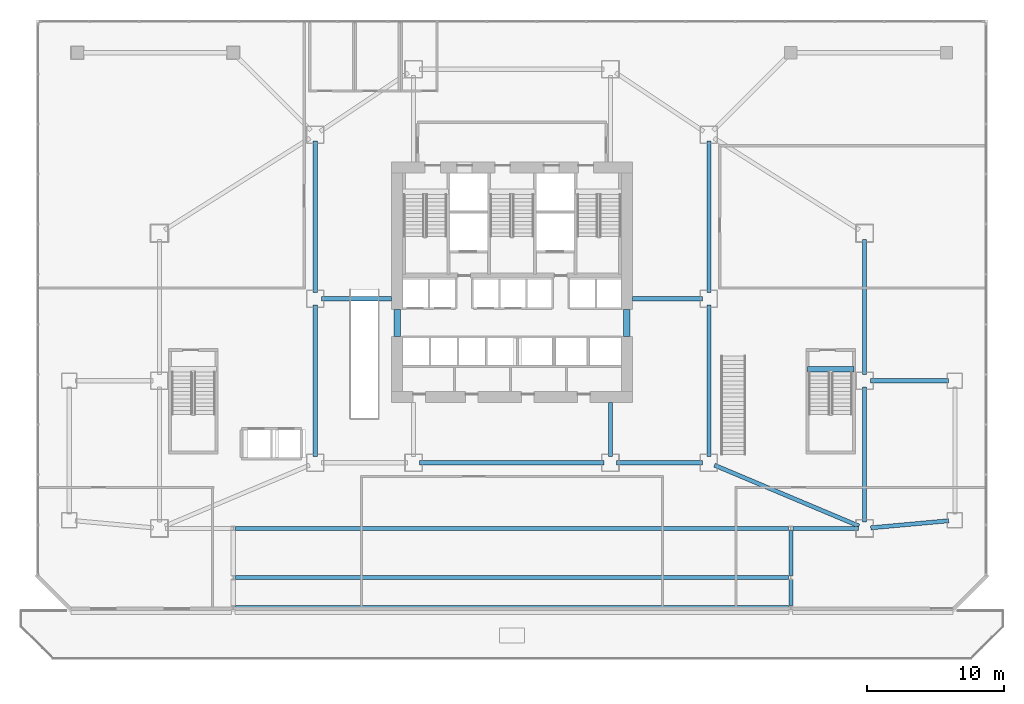
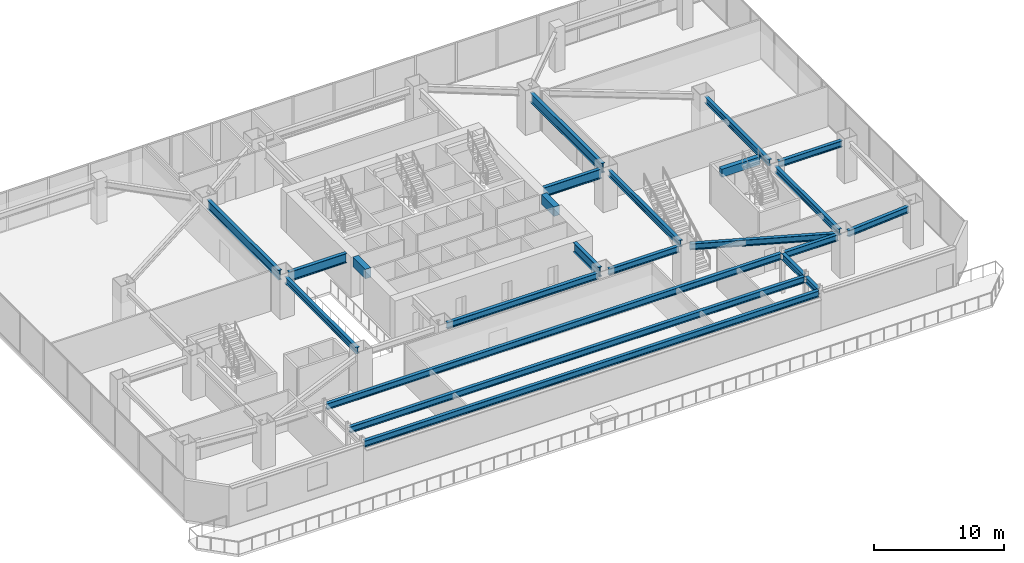
# One storey, part 9 of 32: 23 beams.
"""IFC4 building model written with IfcOpenShell, lengths in metres."""

from ifc_helpers import new_model, si_unit, direction, frame, origin, origin_2d, place, context, subcontext, project, spatial, rectangle, i_section, extrude, material, material_profile, profile_set, type_object, element, save


model = new_model("IFC4")

# Units and contexts
model_context = context("Model", 3, precision=1e-05, world=origin(), true_north=direction((0.0, 1.0)))
body_context = subcontext(model_context, "Body", "Model", "MODEL_VIEW")
ifc_project = project(units=[si_unit("LENGTHUNIT", "METRE"), si_unit("AREAUNIT", "SQUARE_METRE"), si_unit("VOLUMEUNIT", "CUBIC_METRE"), si_unit("PLANEANGLEUNIT", "RADIAN"), si_unit("MASSUNIT", "GRAM", prefix="KILO")], contexts=[model_context])

# Site, building, storey
site_placement = place(None, origin())
site = spatial("IfcSite", under=ifc_project, at=site_placement, CompositionType="ELEMENT")
building_placement = place(site_placement, origin())
building = spatial("IfcBuilding", under=site, at=building_placement, Name="Haolan Belvedere Tower", CompositionType="ELEMENT")
storey_placement = place(building_placement, frame((0.0, 0.0, 15.60009765625)))
storey = spatial("IfcBuildingStorey", under=building, at=storey_placement, Name="L03", CompositionType="ELEMENT", Elevation=15.60009765625)

# Beams
ifc_material_1 = material(Name="Steel Q355B", Category="steel")
ifc_material_profile_1 = material_profile(ifc_material_1, i_section(OverallWidth=0.300048828125, OverallDepth=0.587890625, WebThickness=0.011962890625, FlangeThickness=0.02001953125, FilletRadius=0.028076171875, at=origin_2d()), Name="Steel Q355B")
ifc_profile_set_1 = profile_set([ifc_material_profile_1], Name="Steel Q355B")
beam_type_1 = type_object("IfcBeamType", Name="BM-HM588x300x12x20", PredefinedType="SPANDREL", material=ifc_profile_set_1)
for number, where, z_axis, x_axis, name in (
    (1, (24.0, 22.050048828125, 3.48583984375), (0.0, 1.0, 0.0), (-1.0, 0.0, 0.0), "L03 spandrel girder MC-T3-SW-MC-T3-MW"),
    (2, (52.800048828125, 22.050048828125, 3.48583984375), (0.0, 1.0, 0.0), (-1.0, 0.0, 0.0), "L03 spandrel girder MC-T3-SE-MC-T3-ME"),
):
    element("IfcBeam", number, at=place(storey_placement, frame(where, z_axis=z_axis, x_axis=x_axis)), inside=storey, type_object=beam_type_1, Name=name, PredefinedType="SPANDREL", context=body_context, shape_type="SweptSolid", body=[
        extrude(i_section(OverallWidth=0.300048828125, OverallDepth=0.587890625, WebThickness=0.011962890625, FlangeThickness=0.02001953125, FilletRadius=0.028076171875, at=origin_2d()), origin(), (0.0, 0.0, 1.0), 11.099853515625),
    ])
beam_1_placement = place(storey_placement, frame((46.050048828125, 21.60009765625, 3.48583984375), z_axis=(1.0, 0.0, 0.0), x_axis=(0.0, 1.0, 0.0)))
element("IfcBeam", 3, at=beam_1_placement, inside=storey, type_object=beam_type_1, Name="L03 spandrel girder MC-T3-S2-MC-T3-SE", PredefinedType="SPANDREL", context=body_context, shape_type="SweptSolid", body=[
    extrude(i_section(OverallWidth=0.300048828125, OverallDepth=0.587890625, WebThickness=0.011962890625, FlangeThickness=0.02001953125, FilletRadius=0.028076171875, at=origin_2d()), origin(), (0.0, 0.0, 1.0), 6.300048828125),
])
beam_2_placement = place(storey_placement, frame((31.64990234375, 21.60009765625, 3.48583984375), z_axis=(1.0, 0.0, 0.0), x_axis=(0.0, 1.0, 0.0)))
element("IfcBeam", 4, at=beam_2_placement, inside=storey, type_object=beam_type_1, Name="L03 spandrel girder MC-T3-S1-MC-T3-S2", PredefinedType="SPANDREL", context=body_context, shape_type="SweptSolid", body=[
    extrude(i_section(OverallWidth=0.300048828125, OverallDepth=0.587890625, WebThickness=0.011962890625, FlangeThickness=0.02001953125, FilletRadius=0.028076171875, at=origin_2d()), origin(), (0.0, 0.0, 1.0), 13.5),
])
for number, where, z_axis, x_axis, name in (
    (5, (64.199951171875, 17.25, 3.48583984375), (0.0, 1.0, 0.0), (-1.0, 0.0, 0.0), "L03 spandrel girder MC-T4-SE-MC-T4-ME"),
    (6, (64.199951171875, 28.050048828125, 3.48583984375), (0.0, 1.0, 0.0), (-1.0, 0.0, 0.0), "L03 spandrel girder MC-T4-ME-MC-T4-NE"),
):
    element("IfcBeam", number, at=place(storey_placement, frame(where, z_axis=z_axis, x_axis=x_axis)), inside=storey, type_object=beam_type_1, Name=name, PredefinedType="SPANDREL", context=body_context, shape_type="SweptSolid", body=[
        extrude(i_section(OverallWidth=0.300048828125, OverallDepth=0.587890625, WebThickness=0.011962890625, FlangeThickness=0.02001953125, FilletRadius=0.028076171875, at=origin_2d()), origin(), (0.0, 0.0, 1.0), 9.89990234375),
    ])
beam_3_placement = place(storey_placement, frame((53.21484375, 21.42529296875, 3.48583984375), z_axis=(0.92163457375, -0.38805890335, 0.0), x_axis=(0.38805890335, 0.92163457375, 0.0)))
element("IfcBeam", 7, at=beam_3_placement, inside=storey, type_object=beam_type_1, Name="L03 spandrel girder MC-T3-SE-MC-T4-SE", PredefinedType="SPANDREL", context=body_context, shape_type="SweptSolid", body=[
    extrude(i_section(OverallWidth=0.300048828125, OverallDepth=0.587890625, WebThickness=0.011962890625, FlangeThickness=0.02001953125, FilletRadius=0.028076171875, at=origin_2d()), origin(), (0.0, 0.0, 1.0), 11.468994140625),
])
beam_4_placement = place(storey_placement, frame((64.648193359375, 16.8408203125, 3.48583984375), z_axis=(0.995892507606, 0.090543433189, 0.0), x_axis=(-0.090543433189, 0.995892507606, 0.0)))
element("IfcBeam", 8, at=beam_4_placement, inside=storey, type_object=beam_type_1, Name="L03 spandrel girder MC-T4-SE-MC-T5-SE", PredefinedType="SPANDREL", context=body_context, shape_type="SweptSolid", body=[
    extrude(i_section(OverallWidth=0.300048828125, OverallDepth=0.587890625, WebThickness=0.011962890625, FlangeThickness=0.02001953125, FilletRadius=0.028076171875, at=origin_2d()), origin(), (0.0, 0.0, 1.0), 5.72705078125),
])
beam_5_placement = place(storey_placement, frame((64.64990234375, 27.60009765625, 3.48583984375), z_axis=(1.0, 0.0, 0.0), x_axis=(0.0, 1.0, 0.0)))
element("IfcBeam", 9, at=beam_5_placement, inside=storey, type_object=beam_type_1, Name="L03 spandrel girder MC-T4-ME-MC-T5-NE", PredefinedType="SPANDREL", context=body_context, shape_type="SweptSolid", body=[
    extrude(i_section(OverallWidth=0.300048828125, OverallDepth=0.587890625, WebThickness=0.011962890625, FlangeThickness=0.02001953125, FilletRadius=0.028076171875, at=origin_2d()), origin(), (0.0, 0.0, 1.0), 5.7001953125),
])
beam_6_placement = place(storey_placement, frame((18.14990234375, 11.0, 3.48583984375), z_axis=(1.0, 0.0, 0.0), x_axis=(0.0, 1.0, 0.0)))
element("IfcBeam", 10, at=beam_6_placement, inside=storey, type_object=beam_type_1, Name="L03 spandrel girder PC-CS2-W-PC-CS2-E", PredefinedType="SPANDREL", context=body_context, shape_type="SweptSolid", body=[
    extrude(i_section(OverallWidth=0.300048828125, OverallDepth=0.587890625, WebThickness=0.011962890625, FlangeThickness=0.02001953125, FilletRadius=0.028076171875, at=origin_2d()), origin(), (0.0, 0.0, 1.0), 40.5),
])
beam_7_placement = place(storey_placement, frame((58.800048828125, 11.14990234375, 3.48583984375), z_axis=(0.0, 1.0, 0.0), x_axis=(-1.0, 0.0, 0.0)))
element("IfcBeam", 11, at=beam_7_placement, inside=storey, type_object=beam_type_1, Name="L03 spandrel girder PC-CS2-E-PC-CS3-E", PredefinedType="SPANDREL", context=body_context, shape_type="SweptSolid", body=[
    extrude(i_section(OverallWidth=0.300048828125, OverallDepth=0.587890625, WebThickness=0.011962890625, FlangeThickness=0.02001953125, FilletRadius=0.028076171875, at=origin_2d()), origin(), (0.0, 0.0, 1.0), 1.900146484375),
])
beam_8_placement = place(storey_placement, frame((18.14990234375, 13.199951171875, 3.48583984375), z_axis=(1.0, 0.0, 0.0), x_axis=(0.0, 1.0, 0.0)))
element("IfcBeam", 12, at=beam_8_placement, inside=storey, type_object=beam_type_1, Name="L03 spandrel girder PC-CS3-W-PC-CS3-E", PredefinedType="SPANDREL", context=body_context, shape_type="SweptSolid", body=[
    extrude(i_section(OverallWidth=0.300048828125, OverallDepth=0.587890625, WebThickness=0.011962890625, FlangeThickness=0.02001953125, FilletRadius=0.028076171875, at=origin_2d()), origin(), (0.0, 0.0, 1.0), 40.5),
])
beam_9_placement = place(storey_placement, frame((58.800048828125, 13.35009765625, 3.48583984375), z_axis=(0.0, 1.0, 0.0), x_axis=(-1.0, 0.0, 0.0)))
element("IfcBeam", 13, at=beam_9_placement, inside=storey, type_object=beam_type_1, Name="L03 spandrel girder PC-CS3-E-PC-CS4-E", PredefinedType="SPANDREL", context=body_context, shape_type="SweptSolid", body=[
    extrude(i_section(OverallWidth=0.300048828125, OverallDepth=0.587890625, WebThickness=0.011962890625, FlangeThickness=0.02001953125, FilletRadius=0.028076171875, at=origin_2d()), origin(), (0.0, 0.0, 1.0), 3.2998046875),
])
beam_10_placement = place(storey_placement, frame((18.14990234375, 16.800048828125, 3.48583984375), z_axis=(1.0, 0.0, 0.0), x_axis=(0.0, 1.0, 0.0)))
element("IfcBeam", 14, at=beam_10_placement, inside=storey, type_object=beam_type_1, Name="L03 spandrel girder PC-CS4-W-PC-CS4-E", PredefinedType="SPANDREL", context=body_context, shape_type="SweptSolid", body=[
    extrude(i_section(OverallWidth=0.300048828125, OverallDepth=0.587890625, WebThickness=0.011962890625, FlangeThickness=0.02001953125, FilletRadius=0.028076171875, at=origin_2d()), origin(), (0.0, 0.0, 1.0), 40.5),
])
beam_11_placement = place(storey_placement, frame((58.949951171875, 16.800048828125, 3.48583984375), z_axis=(1.0, 0.0, 0.0), x_axis=(0.0, 1.0, 0.0)))
element("IfcBeam", 15, at=beam_11_placement, inside=storey, type_object=beam_type_1, Name="L03 spandrel girder PC-CS4-E-MC-T4-SE", PredefinedType="SPANDREL", context=body_context, shape_type="SweptSolid", body=[
    extrude(i_section(OverallWidth=0.300048828125, OverallDepth=0.587890625, WebThickness=0.011962890625, FlangeThickness=0.02001953125, FilletRadius=0.028076171875, at=origin_2d()), origin(), (0.0, 0.0, 1.0), 4.800048828125),
])
ifc_material_profile_2 = material_profile(ifc_material_1, i_section(OverallWidth=0.300048828125, OverallDepth=0.89990234375, WebThickness=0.01611328125, FlangeThickness=0.028076171875, FilletRadius=0.028076171875, at=origin_2d()), Name="Steel Q355B")
ifc_profile_set_2 = profile_set([ifc_material_profile_2], Name="Steel Q355B")
beam_type_2 = type_object("IfcBeamType", Name="BM-HN900x300x16x28", PredefinedType="BEAM", material=ifc_profile_set_2)
for number, where, z_axis, x_axis, name in (
    (16, (24.0, 34.050048828125, 3.329833984375), (0.0, 1.0, 0.0), (-1.0, 0.0, 0.0), "L03 primary girder MC-T3-MW-MC-T3-NW"),
    (17, (52.800048828125, 34.050048828125, 3.329833984375), (0.0, 1.0, 0.0), (-1.0, 0.0, 0.0), "L03 primary girder MC-T3-ME-MC-T3-NE"),
):
    element("IfcBeam", number, at=place(storey_placement, frame(where, z_axis=z_axis, x_axis=x_axis)), inside=storey, type_object=beam_type_2, Name=name, PredefinedType="BEAM", context=body_context, shape_type="SweptSolid", body=[
        extrude(i_section(OverallWidth=0.300048828125, OverallDepth=0.89990234375, WebThickness=0.01611328125, FlangeThickness=0.028076171875, FilletRadius=0.028076171875, at=origin_2d()), origin(), (0.0, 0.0, 1.0), 11.099853515625),
    ])
for number, where, z_axis, x_axis, name in (
    (18, (24.449951171875, 33.60009765625, 3.329833984375), (1.0, 0.0, 0.0), (0.0, 1.0, 0.0), "L03 core tie beam from MC-T3-MW"),
    (19, (52.35009765625, 33.60009765625, 3.329833984375), (-1.0, 0.0, 0.0), (0.0, -1.0, 0.0), "L03 core tie beam from MC-T3-ME"),
):
    element("IfcBeam", number, at=place(storey_placement, frame(where, z_axis=z_axis, x_axis=x_axis)), inside=storey, type_object=beam_type_2, Name=name, PredefinedType="BEAM", context=body_context, shape_type="SweptSolid", body=[
        extrude(i_section(OverallWidth=0.300048828125, OverallDepth=0.89990234375, WebThickness=0.01611328125, FlangeThickness=0.028076171875, FilletRadius=0.028076171875, at=origin_2d()), origin(), (0.0, 0.0, 1.0), 5.150146484375),
    ])
beam_12_placement = place(storey_placement, frame((45.60009765625, 22.050048828125, 3.329833984375), z_axis=(0.0, 1.0, 0.0), x_axis=(-1.0, 0.0, 0.0)))
element("IfcBeam", 20, at=beam_12_placement, inside=storey, type_object=beam_type_2, Name="L03 core tie beam from MC-T3-S2", PredefinedType="BEAM", context=body_context, shape_type="SweptSolid", body=[
    extrude(i_section(OverallWidth=0.300048828125, OverallDepth=0.89990234375, WebThickness=0.01611328125, FlangeThickness=0.028076171875, FilletRadius=0.028076171875, at=origin_2d()), origin(), (0.0, 0.0, 1.0), 3.949951171875),
])
ifc_material_2 = material(Name="Concrete C50/60", Category="concrete")
ifc_material_profile_3 = material_profile(ifc_material_2, rectangle(XDim=0.39990234375, YDim=0.75, at=origin_2d()), Name="Concrete C50/60")
ifc_profile_set_3 = profile_set([ifc_material_profile_3], Name="Concrete C50/60")
beam_type_3 = type_object("IfcBeamType", Name="BM-RC400x750", PredefinedType="T_BEAM", material=ifc_profile_set_3)
beam_13_placement = place(storey_placement, frame((60.010009765625, 28.429931640625, 3.824951171875), z_axis=(1.0, 0.0, 0.0), x_axis=(0.0, 1.0, 0.0)))
element("IfcBeam", 21, at=beam_13_placement, inside=storey, type_object=beam_type_3, Name="L04 podium stair ST5 RC header trimmer beam", PredefinedType="BEAM", context=body_context, shape_type="SweptSolid", body=[
    extrude(rectangle(XDim=0.39990234375, YDim=0.75, at=origin_2d()), origin(), (0.0, 0.0, 1.0), 3.39990234375),
])
ifc_material_3 = material(Name="Concrete C60/75", Category="concrete")
ifc_material_profile_4 = material_profile(ifc_material_3, rectangle(XDim=0.5, YDim=0.89990234375, at=origin_2d()), Name="Concrete C60/75")
ifc_profile_set_4 = profile_set([ifc_material_profile_4], Name="Concrete C60/75")
beam_type_4 = type_object("IfcBeamType", Name="BM-RC500x900", PredefinedType="LINTEL", material=ifc_profile_set_4)
for number, where, z_axis, x_axis, name in (
    (22, (30.0, 30.85009765625, 3.329833984375), (0.0, 1.0, 0.0), (-1.0, 0.0, 0.0), "L03 west core coupling beam CB-01"),
    (23, (46.800048828125, 30.85009765625, 3.329833984375), (0.0, 1.0, 0.0), (-1.0, 0.0, 0.0), "L03 east core coupling beam CB-01"),
):
    element("IfcBeam", number, at=place(storey_placement, frame(where, z_axis=z_axis, x_axis=x_axis)), inside=storey, type_object=beam_type_4, Name=name, PredefinedType="LINTEL", context=body_context, shape_type="SweptSolid", body=[
        extrude(rectangle(XDim=0.5, YDim=0.89990234375, at=origin_2d()), origin(), (0.0, 0.0, 1.0), 1.949951171875),
    ])

save(model, "model.ifc")
